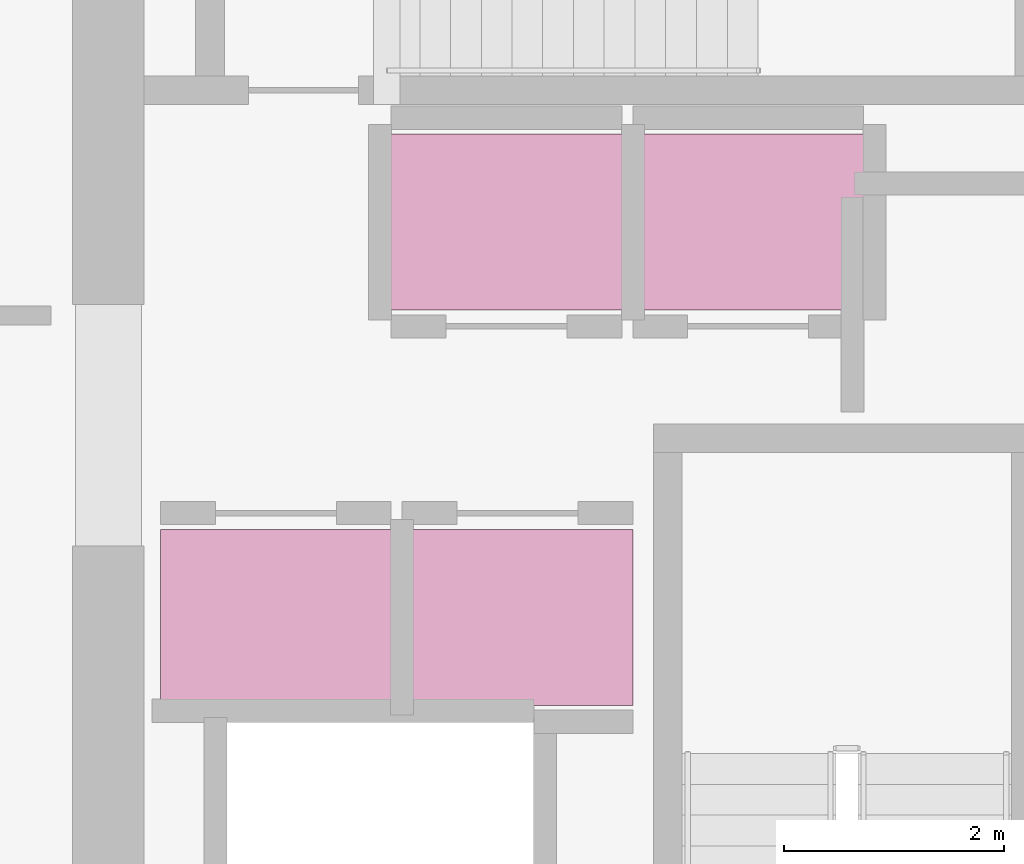
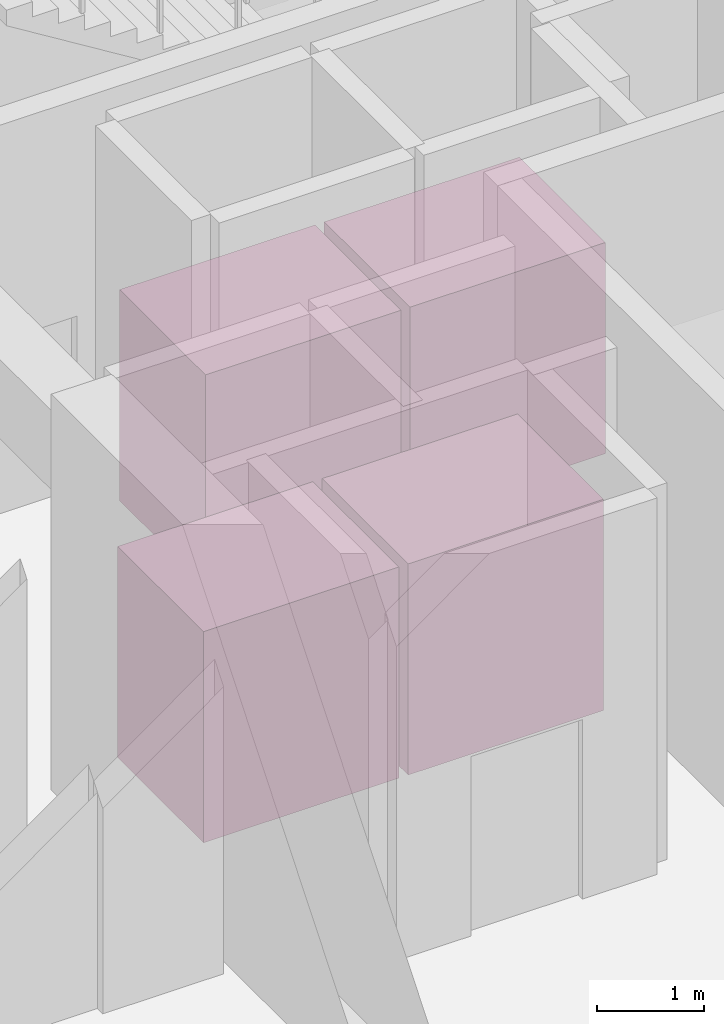
# One storey, part 18 of 18: 4 transport elements.
"""IFC4 building model written with IfcOpenShell, lengths in metres."""

from ifc_helpers import new_model, si_unit, direction, frame, origin, origin_2d, place, context, subcontext, project, spatial, rectangle, extrude, material, type_object, element, save


model = new_model("IFC4")

# Units and contexts
model_context = context("Model", 3, precision=1e-05, world=origin(), true_north=direction((0.0, 1.0)))
body_context = subcontext(model_context, "Body", "Model", "MODEL_VIEW")
ifc_project = project(units=[si_unit("LENGTHUNIT", "METRE"), si_unit("AREAUNIT", "SQUARE_METRE"), si_unit("VOLUMEUNIT", "CUBIC_METRE"), si_unit("PLANEANGLEUNIT", "RADIAN"), si_unit("MASSUNIT", "GRAM", prefix="KILO")], contexts=[model_context])

# Site, building, storey
site_placement = place(None, origin())
site = spatial("IfcSite", under=ifc_project, at=site_placement, CompositionType="ELEMENT")
building_placement = place(site_placement, origin())
building = spatial("IfcBuilding", under=site, at=building_placement, Name="Kiyonajd Concourse Tower", CompositionType="ELEMENT")
storey_placement = place(building_placement, frame((0.0, 0.0, 214.800048828125)))
storey = spatial("IfcBuildingStorey", under=building, at=storey_placement, Name="L54", CompositionType="ELEMENT", Elevation=214.800048828125)

# Transport elements
ifc_material = material(Name="Brushed Stainless Steel Cab Assembly", Category="steel")
transport_element_type = type_object("IfcTransportElementType", Name="EL-PAX-2100", PredefinedType="ELEVATOR", material=ifc_material)
for number, where, z_axis, x_axis, name in (
    (1, (55.449951171875, 35.14990234375, 0.0), (0.0, 0.0, 1.0), (1.0, 0.0, 0.0), "High-Rise Passenger Lift PL-H1"),
    (2, (57.64990234375, 35.14990234375, 0.0), (0.0, 0.0, 1.0), (1.0, 0.0, 0.0), "High-Rise Passenger Lift PL-H2"),
    (3, (57.550048828125, 38.75, 0.0), (0.0, 0.0, 1.0), (1.0, 0.0, 0.0), "High-Rise Passenger Lift PL-H3"),
    (4, (59.75, 38.75, 0.0), (0.0, 0.0, 1.0), (1.0, 0.0, 0.0), "High-Rise Passenger Lift PL-H4"),
):
    element("IfcTransportElement", number, at=place(storey_placement, frame(where, z_axis=z_axis, x_axis=x_axis)), inside=storey, type_object=transport_element_type, Name=name, PredefinedType="ELEVATOR", context=body_context, shape_type="SweptSolid", body=[
        extrude(rectangle(XDim=2.10009765625, YDim=1.60009765625, at=origin_2d()), origin(), (0.0, 0.0, 1.0), 2.39990234375),
    ])

save(model, "model.ifc")
